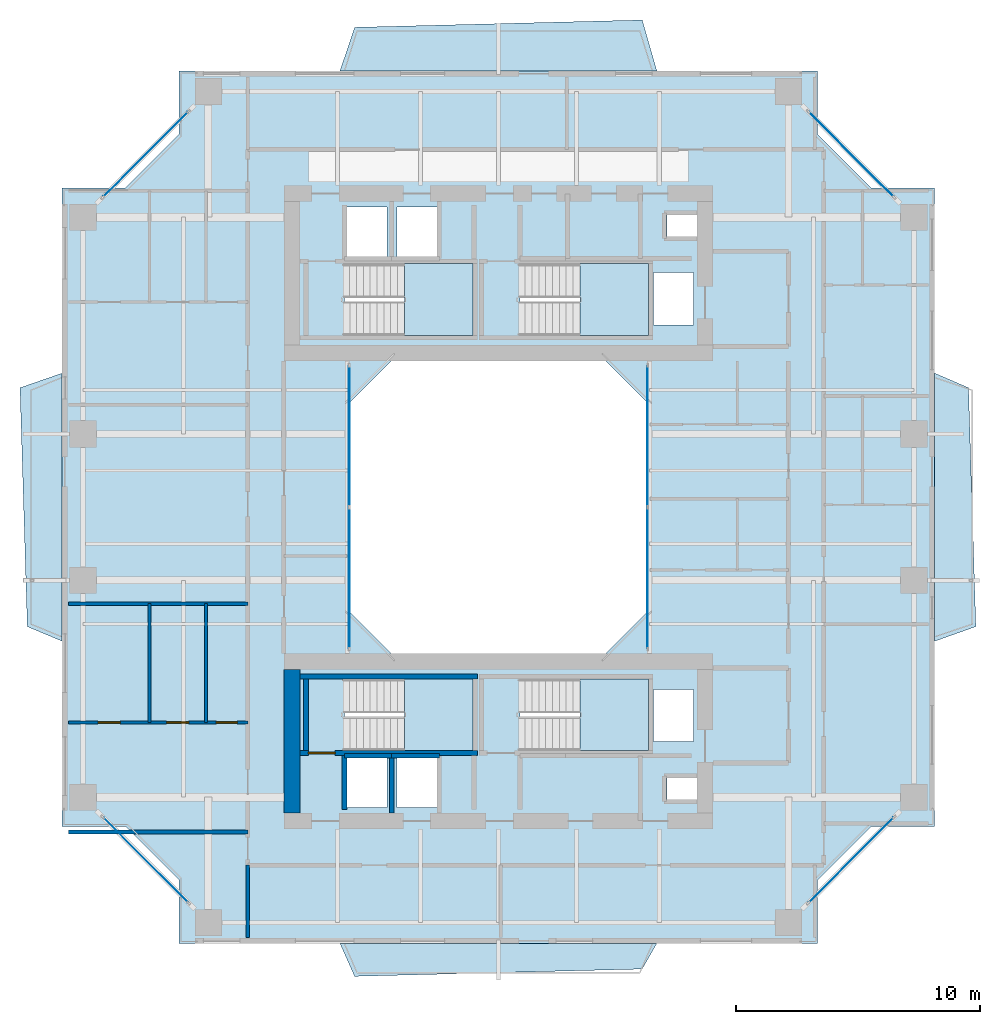
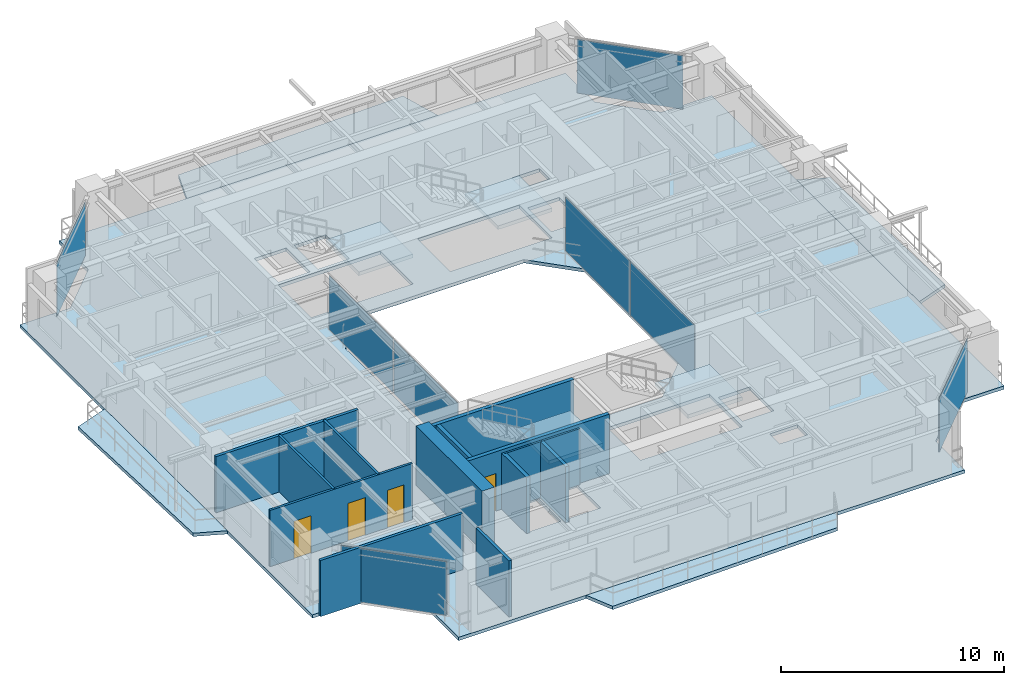
# One storey, part 9 of 17: 14 walls, 9 slabs, 8 plates, 4 doors, 4 openings, 10 elements without a shape of their own.
"""IFC4 building model written with IfcOpenShell, lengths in metres."""

import ifcopenshell
import ifcopenshell.guid

model = None  # the IFC model being written
_history = None  # IfcOwnerHistory: only IFC2X3 demands one
_inside = {}  # id of a spatial element -> (the spatial element, [elements in it])
_under = {}  # id of a project, library or spatial element -> (it, [spatial elements below it])
_declared = {}  # id of a project -> (the project, [libraries it declares])
_typed = {}  # id of a type object -> (the type object, [elements of that type])
_made_of = {}  # id of a material, layer set ... -> (it, [elements and type objects made of it])


def new_model(schema):
    """Start an empty IFC model of exactly this schema.

    Asked for "IFC4X3", IfcOpenShell would pick the latest addendum, in which some entities
    have other attributes; the version numbers below select the first issue.
    IFC2X3 requires an IfcOwnerHistory on every rooted entity: one is made here for all.
    """
    global model, _history
    if schema == "IFC4X3":
        model = ifcopenshell.file(schema_version=(4, 3, 0, 0))
    else:
        model = ifcopenshell.file(schema=schema)
    _inside.clear()
    _under.clear()
    _declared.clear()
    _typed.clear()
    _made_of.clear()
    _history = None
    if model.schema == "IFC2X3":
        org = make("IfcOrganization", Name="unknown")
        user = make(
            "IfcPersonAndOrganization",
            ThePerson=make("IfcPerson", FamilyName="unknown"),
            TheOrganization=org,
        )
        app = make(
            "IfcApplication",
            ApplicationDeveloper=org,
            Version="unknown",
            ApplicationFullName="unknown",
            ApplicationIdentifier="unknown",
        )
        _history = make(
            "IfcOwnerHistory",
            OwningUser=user,
            OwningApplication=app,
            ChangeAction="ADDED",
            CreationDate=0,
        )
    return model


def make(cls, **values):
    """One entity of the class cls with the attributes given. An attribute that is None is left unset."""
    return model.create_entity(
        cls, **{name: value for name, value in values.items() if value is not None}
    )


def rooted(cls, **values):
    """An entity with a GlobalId (a new one), such as an element, a storey or a relation."""
    return make(cls, GlobalId=ifcopenshell.guid.new(), OwnerHistory=_history, **values)


def si_unit(unit_type, name, prefix=None):
    """IfcSIUnit, for example si_unit("LENGTHUNIT", "METRE", prefix="MILLI")."""
    return make("IfcSIUnit", UnitType=unit_type, Prefix=prefix, Name=name)


def assignment(units):
    """IfcUnitAssignment: the units of a project."""
    return None if units is None else make("IfcUnitAssignment", Units=units)


def point(xyz):
    """IfcCartesianPoint."""
    return None if xyz is None else make("IfcCartesianPoint", Coordinates=xyz)


def direction(xyz):
    """IfcDirection."""
    return None if xyz is None else make("IfcDirection", DirectionRatios=xyz)


def frame(location, z_axis=None, x_axis=None):
    """IfcAxis2Placement3D, a coordinate frame: its origin and axes. An axis left out is left unset."""
    return make(
        "IfcAxis2Placement3D",
        Location=point(location),
        Axis=direction(z_axis),
        RefDirection=direction(x_axis),
    )


def frame_2d(location, x_axis=None):
    """IfcAxis2Placement2D, a coordinate frame in the plane: its origin and x axis."""
    return make(
        "IfcAxis2Placement2D", Location=point(location), RefDirection=direction(x_axis)
    )


def origin():
    """The frame at (0, 0, 0) with its axes left unset."""
    return frame((0.0, 0.0, 0.0))


def origin_2d():
    """The frame at (0, 0) in the plane with its x axis left unset."""
    return frame_2d((0.0, 0.0))


def place(relative_to, where):
    """IfcLocalPlacement: puts the frame where relative to a parent placement (None: the world)."""
    return make(
        "IfcLocalPlacement", PlacementRelTo=relative_to, RelativePlacement=where
    )


def context(
    kind, dimensions, precision=None, world=None, true_north=None, identifier=None
):
    """IfcGeometricRepresentationContext, for example the 3D "Model" context."""
    return make(
        "IfcGeometricRepresentationContext",
        ContextIdentifier=identifier,
        ContextType=kind,
        CoordinateSpaceDimension=dimensions,
        Precision=precision,
        WorldCoordinateSystem=world,
        TrueNorth=true_north,
    )


def subcontext(parent, identifier, kind, view, scale=None):
    """IfcGeometricRepresentationSubContext, for example "Body" below "Model"."""
    return make(
        "IfcGeometricRepresentationSubContext",
        ContextIdentifier=identifier,
        ContextType=kind,
        ParentContext=parent,
        TargetScale=scale,
        TargetView=view,
    )


def project(units=None, contexts=None):
    """IfcProject with its units and contexts."""
    return rooted(
        "IfcProject",
        Name="project",
        RepresentationContexts=contexts,
        UnitsInContext=assignment(units),
    )


def spatial(cls, under=None, at=None, **own):
    """A site, building, storey or space (cls), placed at a placement, below another one or the project."""
    s = rooted(cls, ObjectPlacement=at, **own)
    if under is not None:
        _under.setdefault(under.id(), (under, []))[1].append(s)
    return s


def polyline(points):
    """IfcPolyline through the points."""
    return make("IfcPolyline", Points=[point(p) for p in points])


def profile(cls, at=None, kind="AREA", **sizes):
    """A parametric profile (cls). Its sizes go by their IFC names, for example OverallWidth=200.0."""
    return make(cls, ProfileType=kind, Position=at, **sizes)


def rectangle(**sizes):
    """IfcRectangleProfileDef."""
    return profile("IfcRectangleProfileDef", **sizes)


def outline(outer, holes=None, kind="AREA"):
    """IfcArbitraryClosedProfileDef: a profile drawn as a closed curve; with holes, ...WithVoids."""
    if holes is None:
        return make("IfcArbitraryClosedProfileDef", ProfileType=kind, OuterCurve=outer)
    return make(
        "IfcArbitraryProfileDefWithVoids",
        ProfileType=kind,
        OuterCurve=outer,
        InnerCurves=holes,
    )


def extrude(swept, where, along, depth):
    """IfcExtrudedAreaSolid: the profile swept, set in the frame where, extruded along a direction by depth."""
    return make(
        "IfcExtrudedAreaSolid",
        SweptArea=swept,
        Position=where,
        ExtrudedDirection=direction(along),
        Depth=depth,
    )


def shape(context_of_items, identifier, shape_type, items):
    """IfcShapeRepresentation: the items that make up one representation, for example the "Body"."""
    return make(
        "IfcShapeRepresentation",
        ContextOfItems=context_of_items,
        RepresentationIdentifier=identifier,
        RepresentationType=shape_type,
        Items=items,
    )


def source(mapping_origin, context_of_items, identifier, shape_type, items):
    """IfcRepresentationMap: a shape defined once, which mapped items show again and again."""
    return make(
        "IfcRepresentationMap",
        MappingOrigin=mapping_origin,
        MappedRepresentation=shape(context_of_items, identifier, shape_type, items),
    )


def transform(
    local_origin,
    x_axis=None,
    y_axis=None,
    z_axis=None,
    scale=None,
    scale2=None,
    scale3=None,
    uniform=True,
):
    """IfcCartesianTransformationOperator3D, or its non-uniform kind. x_axis, y_axis, z_axis: its Axis1, 2, 3."""
    if uniform:
        return make(
            "IfcCartesianTransformationOperator3D",
            Axis1=direction(x_axis),
            Axis2=direction(y_axis),
            LocalOrigin=point(local_origin),
            Scale=scale,
            Axis3=direction(z_axis),
        )
    return make(
        "IfcCartesianTransformationOperator3DnonUniform",
        Axis1=direction(x_axis),
        Axis2=direction(y_axis),
        LocalOrigin=point(local_origin),
        Scale=scale,
        Axis3=direction(z_axis),
        Scale2=scale2,
        Scale3=scale3,
    )


def mapped(mapping_source, mapping_target):
    """IfcMappedItem: shows the shape of a source again, moved by a transform."""
    return make(
        "IfcMappedItem", MappingSource=mapping_source, MappingTarget=mapping_target
    )


def material(Name=None, Category=None):
    """IfcMaterial."""
    return make("IfcMaterial", Name=Name, Category=Category)


def layer(
    of_material, thickness, ventilated=None, Name=None, Category=None, Priority=None
):
    """IfcMaterialLayer: one layer of a wall or slab, of a material (None: an air gap)."""
    return make(
        "IfcMaterialLayer",
        Material=of_material,
        LayerThickness=thickness,
        IsVentilated=ventilated,
        Name=Name,
        Category=Category,
        Priority=Priority,
    )


def layer_set(layers, Name=None):
    """IfcMaterialLayerSet."""
    return make("IfcMaterialLayerSet", MaterialLayers=layers, LayerSetName=Name)


def made_of(thing, what):
    """Note that an element or type object is made of a material, layer set ...; save() writes the relation."""
    if what is not None:
        _made_of.setdefault(what.id(), (what, []))[1].append(thing)
    return thing


def type_object(cls, material=None, **own):
    """A type object (cls), such as IfcWallType, which elements share."""
    return made_of(rooted(cls, **own), material)


def element(
    cls,
    number,
    at=None,
    inside=None,
    cuts=None,
    type_object=None,
    material=None,
    context=None,
    identifier="Body",
    shape_type=None,
    held_by="IfcProductDefinitionShape",
    body=None,
    shapes=None,
    **own,
):
    """One element of the class cls, such as IfcWall. Its Tag is "e" and its number.

    at: its placement. inside: the storey or other place that contains it. cuts: it is an
    opening in that element (IfcRelVoidsElement). A single representation is given by context,
    identifier, shape_type and body (its items); several are given by shapes. held_by: the class
    of the entity that holds the representations. save() writes the other relations.
    """
    e = rooted(cls, Tag="e%d" % number, ObjectPlacement=at, **own)
    if body is not None:
        shapes = [shape(context, identifier, shape_type, body)]
    if shapes is not None:
        e.Representation = make(held_by, Representations=shapes)
    if inside is not None:
        _inside.setdefault(inside.id(), (inside, []))[1].append(e)
    if cuts is not None:
        rooted(
            "IfcRelVoidsElement", RelatingBuildingElement=cuts, RelatedOpeningElement=e
        )
    if type_object is not None:
        _typed.setdefault(type_object.id(), (type_object, []))[1].append(e)
    return made_of(e, material)


def fill(opening, filler):
    """IfcRelFillsElement: the door or window that sits in an opening."""
    return rooted(
        "IfcRelFillsElement",
        RelatingOpeningElement=opening,
        RelatedBuildingElement=filler,
    )


def aggregate(whole, parts):
    """IfcRelAggregates: a whole, such as a stair, and the parts it consists of."""
    return rooted("IfcRelAggregates", RelatingObject=whole, RelatedObjects=parts)


def save(model, path):
    """Write the relations noted so far, then the file.

    IfcRelAggregates (storeys below a building ...), IfcRelContainedInSpatialStructure (elements
    in a storey), IfcRelDefinesByType, IfcRelAssociatesMaterial and IfcRelDeclares: one each for
    every whole, place, type object, material and project.
    """
    for whole, parts in _under.values():
        aggregate(whole, parts)
    for where, things in _inside.values():
        rooted(
            "IfcRelContainedInSpatialStructure",
            RelatedElements=things,
            RelatingStructure=where,
        )
    for kind, things in _typed.values():
        rooted("IfcRelDefinesByType", RelatedObjects=things, RelatingType=kind)
    for what, things in _made_of.values():
        rooted("IfcRelAssociatesMaterial", RelatedObjects=things, RelatingMaterial=what)
    for by, libraries in _declared.values():
        rooted("IfcRelDeclares", RelatingContext=by, RelatedDefinitions=libraries)
    model.write(path)


model = new_model("IFC4")

# Units and contexts
model_context = context("Model", 3, precision=1e-05, world=origin(), true_north=direction((0.0, 1.0)))
body_context = subcontext(model_context, "Body", "Model", "MODEL_VIEW")
ifc_project = project(units=[si_unit("LENGTHUNIT", "METRE"), si_unit("AREAUNIT", "SQUARE_METRE"), si_unit("VOLUMEUNIT", "CUBIC_METRE"), si_unit("PLANEANGLEUNIT", "RADIAN"), si_unit("MASSUNIT", "GRAM", prefix="KILO"), si_unit("THERMODYNAMICTEMPERATUREUNIT", "KELVIN"), si_unit("POWERUNIT", "WATT")], contexts=[model_context])

# Site, building, storey
site_placement = place(None, origin())
site = spatial("IfcSite", under=ifc_project, at=site_placement, CompositionType="ELEMENT")
building_placement = place(site_placement, origin())
building = spatial("IfcBuilding", under=site, at=building_placement, Name="Qiaomeng Ring Towers", CompositionType="ELEMENT")
storey_placement = place(building_placement, frame((0.0, 0.0, 126.25)))
storey = spatial("IfcBuildingStorey", under=building, at=storey_placement, Name="L36", CompositionType="ELEMENT", Elevation=126.25)

# Slabs
ifc_material_1 = material(Name="Concrete C40", Category="concrete")
ifc_layer_1 = layer(ifc_material_1, 0.179931640625, Name="Concrete C40")
ifc_layer_set_1 = layer_set([ifc_layer_1], Name="Concrete C40")
slab_type_1 = type_object("IfcSlabType", Name="STR-SL-180", PredefinedType="FLOOR", material=ifc_layer_set_1)
slab_1_placement = place(storey_placement, frame((0.0, 0.0, -0.179931640625)))
element("IfcSlab", 1, at=slab_1_placement, inside=storey, type_object=slab_type_1, Name="L36 Tower 1 Annular Floor Slab", PredefinedType="FLOOR", context=body_context, shape_type="SweptSolid", body=[
    extrude(outline(polyline([(5.89990234375, 5.10009765625), (32.10009765625, 5.10009765625), (32.10009765625, 7.699951171875), (34.300048828125, 9.89990234375), (36.89990234375, 9.89990234375), (36.89990234375, 36.10009765625), (34.300048828125, 36.10009765625), (32.10009765625, 38.300048828125), (32.10009765625, 40.89990234375), (5.89990234375, 40.89990234375), (5.89990234375, 38.300048828125), (3.699951171875, 36.10009765625), (1.10009765625, 36.10009765625), (1.10009765625, 9.89990234375), (3.699951171875, 9.89990234375), (5.89990234375, 7.699951171875), (5.89990234375, 5.10009765625)]), holes=[polyline([(12.780029296875, 10.679931640625), (12.780029296875, 12.820068359375), (14.419921875, 12.820068359375), (14.419921875, 10.679931640625), (12.780029296875, 10.679931640625)]), polyline([(14.830078125, 12.820068359375), (16.469970703125, 12.820068359375), (16.469970703125, 10.679931640625), (14.830078125, 10.679931640625), (14.830078125, 12.820068359375)]), polyline([(12.679931640625, 15.949951171875), (17.949951171875, 15.949951171875), (17.949951171875, 13.010009765625), (12.679931640625, 13.010009765625), (12.679931640625, 15.949951171875)]), polyline([(23.199951171875, 29.199951171875), (25.199951171875, 27.199951171875), (25.199951171875, 18.800048828125), (23.199951171875, 16.800048828125), (14.800048828125, 16.800048828125), (12.800048828125, 18.800048828125), (12.800048828125, 27.199951171875), (14.800048828125, 29.199951171875), (23.199951171875, 29.199951171875)]), polyline([(12.679931640625, 32.989990234375), (17.949951171875, 32.989990234375), (17.949951171875, 30.050048828125), (12.679931640625, 30.050048828125), (12.679931640625, 32.989990234375)]), polyline([(12.780029296875, 35.320068359375), (14.419921875, 35.320068359375), (14.419921875, 33.179931640625), (12.780029296875, 33.179931640625), (12.780029296875, 35.320068359375)]), polyline([(14.830078125, 33.179931640625), (14.830078125, 35.320068359375), (16.469970703125, 35.320068359375), (16.469970703125, 33.179931640625), (14.830078125, 33.179931640625)]), polyline([(25.919921875, 11.89990234375), (27.360107421875, 11.89990234375), (27.360107421875, 11.0), (25.919921875, 11.0), (25.919921875, 11.89990234375)]), polyline([(25.360107421875, 15.52001953125), (27.0, 15.52001953125), (27.0, 13.3798828125), (25.360107421875, 13.3798828125), (25.360107421875, 15.52001953125)]), polyline([(19.8798828125, 15.949951171875), (25.14990234375, 15.949951171875), (25.14990234375, 13.010009765625), (19.8798828125, 13.010009765625), (19.8798828125, 15.949951171875)]), polyline([(19.8798828125, 32.989990234375), (25.14990234375, 32.989990234375), (25.14990234375, 30.050048828125), (19.8798828125, 30.050048828125), (19.8798828125, 32.989990234375)]), polyline([(25.360107421875, 32.6201171875), (27.0, 32.6201171875), (27.0, 30.47998046875), (25.360107421875, 30.47998046875), (25.360107421875, 32.6201171875)]), polyline([(25.919921875, 35.0), (27.360107421875, 35.0), (27.360107421875, 34.10009765625), (25.919921875, 34.10009765625), (25.919921875, 35.0)])]), origin(), (0.0, 0.0, 1.0), 0.179931640625),
])
ifc_layer_2 = layer(ifc_material_1, 0.179931640625, Name="Concrete C40")
ifc_layer_set_2 = layer_set([ifc_layer_2], Name="Concrete C40")
slab_type_2 = type_object("IfcSlabType", Name="STR-SL-BAL", PredefinedType="FLOOR", material=ifc_layer_set_2)
slab_2_placement = place(storey_placement, frame((0.0, 0.0, -0.179931640625)))
element("IfcSlab", 2, at=slab_2_placement, inside=storey, type_object=slab_type_2, Name="L36 Tower 1 S Faceted Balcony Slab", PredefinedType="FLOOR", context=body_context, shape_type="SweptSolid", body=[
    extrude(outline(polyline([(24.89990234375, 4.050048828125), (13.10009765625, 3.75), (12.5, 5.10009765625), (25.5, 5.10009765625), (24.89990234375, 4.050048828125)])), origin(), (0.0, 0.0, 1.0), 0.179931640625),
])
slab_3_placement = place(storey_placement, frame((0.0, 0.0, -0.179931640625)))
element("IfcSlab", 3, at=slab_3_placement, inside=storey, type_object=slab_type_2, Name="L36 Tower 1 E Faceted Balcony Slab", PredefinedType="FLOOR", context=body_context, shape_type="SweptSolid", body=[
    extrude(outline(polyline([(38.2900390625, 27.89990234375), (38.590087890625, 18.10009765625), (36.89990234375, 17.5), (36.89990234375, 28.5), (38.2900390625, 27.89990234375)])), origin(), (0.0, 0.0, 1.0), 0.179931640625),
])
slab_4_placement = place(storey_placement, frame((0.0, 0.0, -0.179931640625)))
element("IfcSlab", 4, at=slab_4_placement, inside=storey, type_object=slab_type_2, Name="L36 Tower 1 N Faceted Balcony Slab", PredefinedType="FLOOR", context=body_context, shape_type="SweptSolid", body=[
    extrude(outline(polyline([(12.5, 40.89990234375), (13.10009765625, 42.68994140625), (24.89990234375, 42.989990234375), (25.5, 40.89990234375), (12.5, 40.89990234375)])), origin(), (0.0, 0.0, 1.0), 0.179931640625),
])
slab_5_placement = place(storey_placement, frame((0.0, 0.0, -0.179931640625)))
element("IfcSlab", 5, at=slab_5_placement, inside=storey, type_object=slab_type_2, Name="L36 Tower 1 W Faceted Balcony Slab", PredefinedType="FLOOR", context=body_context, shape_type="SweptSolid", body=[
    extrude(outline(polyline([(-0.330078125, 18.10009765625), (-0.6298828125, 27.89990234375), (1.10009765625, 28.5), (1.10009765625, 17.5), (-0.330078125, 18.10009765625)])), origin(), (0.0, 0.0, 1.0), 0.179931640625),
])

# Stair, slab
ifc_material_2 = material(Name="Precast concrete C40", Category="concrete")
stair_type = type_object("IfcStairType", Name="ARC-ST-325", PredefinedType="HALF_TURN_STAIR", material=ifc_material_2)
stair_1_placement = place(storey_placement, origin())
stair_1 = element("IfcStair", 6, at=stair_1_placement, inside=storey, type_object=stair_type, Name="L36 Tower 1 North Stair 1", PredefinedType="HALF_TURN_STAIR")
ifc_layer_3 = layer(ifc_material_1, 0.199951171875, Name="Concrete C40")
ifc_layer_set_3 = layer_set([ifc_layer_3], Name="Concrete C40")
slab_type_3 = type_object("IfcSlabType", Name="STR-SL-LANDING", PredefinedType="LANDING", material=ifc_layer_set_3)
slab_6_placement = place(storey_placement, frame((0.0, 0.0, 1.425048828125)))
slab_6 = element("IfcSlab", 7, at=slab_6_placement, type_object=slab_type_3, Name="ST1 landing 1", PredefinedType="LANDING", context=body_context, shape_type="SweptSolid", body=[
    extrude(outline(polyline([(15.139892578125, 30.050048828125), (17.949951171875, 30.050048828125), (17.949951171875, 32.989990234375), (15.139892578125, 32.989990234375), (15.139892578125, 30.050048828125)])), origin(), (0.0, 0.0, 1.0), 0.199951171875),
])
aggregate(stair_1, [slab_6])

stair_2_placement = place(storey_placement, origin())
stair_2 = element("IfcStair", 8, at=stair_2_placement, inside=storey, type_object=stair_type, Name="L36 Tower 1 North Stair 2", PredefinedType="HALF_TURN_STAIR")
slab_7_placement = place(storey_placement, frame((0.0, 0.0, 1.425048828125)))
slab_7 = element("IfcSlab", 9, at=slab_7_placement, type_object=slab_type_3, Name="ST2 landing 1", PredefinedType="LANDING", context=body_context, shape_type="SweptSolid", body=[
    extrude(outline(polyline([(22.340087890625, 30.050048828125), (25.14990234375, 30.050048828125), (25.14990234375, 32.989990234375), (22.340087890625, 32.989990234375), (22.340087890625, 30.050048828125)])), origin(), (0.0, 0.0, 1.0), 0.199951171875),
])
aggregate(stair_2, [slab_7])

stair_3_placement = place(storey_placement, origin())
stair_3 = element("IfcStair", 10, at=stair_3_placement, inside=storey, type_object=stair_type, Name="L36 Tower 1 South Stair 3", PredefinedType="HALF_TURN_STAIR")
slab_8_placement = place(storey_placement, frame((0.0, 0.0, 1.425048828125)))
slab_8 = element("IfcSlab", 11, at=slab_8_placement, type_object=slab_type_3, Name="ST3 landing 1", PredefinedType="LANDING", context=body_context, shape_type="SweptSolid", body=[
    extrude(outline(polyline([(15.139892578125, 13.010009765625), (17.949951171875, 13.010009765625), (17.949951171875, 15.949951171875), (15.139892578125, 15.949951171875), (15.139892578125, 13.010009765625)])), origin(), (0.0, 0.0, 1.0), 0.199951171875),
])
aggregate(stair_3, [slab_8])

stair_4_placement = place(storey_placement, origin())
stair_4 = element("IfcStair", 12, at=stair_4_placement, inside=storey, type_object=stair_type, Name="L36 Tower 1 South Stair 4", PredefinedType="HALF_TURN_STAIR")
slab_9_placement = place(storey_placement, frame((0.0, 0.0, 1.425048828125)))
slab_9 = element("IfcSlab", 13, at=slab_9_placement, type_object=slab_type_3, Name="ST4 landing 1", PredefinedType="LANDING", context=body_context, shape_type="SweptSolid", body=[
    extrude(outline(polyline([(22.340087890625, 13.010009765625), (25.14990234375, 13.010009765625), (25.14990234375, 15.949951171875), (22.340087890625, 15.949951171875), (22.340087890625, 13.010009765625)])), origin(), (0.0, 0.0, 1.0), 0.199951171875),
])
aggregate(stair_4, [slab_9])

# Curtain wall, plates
ifc_material_3 = material(Name="Fluorocarbon dark-grey aluminium", Category="aluminium")
ifc_layer_4 = layer(ifc_material_3, 0.139892578125, Name="Fluorocarbon dark-grey aluminium")
ifc_layer_set_4 = layer_set([ifc_layer_4], Name="Fluorocarbon dark-grey aluminium")
curtain_wall_type_1 = type_object("IfcCurtainWallType", Name="ARC-CW-4", PredefinedType="NOTDEFINED", material=ifc_layer_set_4)
curtain_wall_1_placement = place(storey_placement, origin())
curtain_wall_1 = element("IfcCurtainWall", 14, at=curtain_wall_1_placement, inside=storey, type_object=curtain_wall_type_1, Name="L36 Curtain Wall CW4", PredefinedType="NOTDEFINED")
ifc_material_4 = material(Name="Low-E dark-grey laminated double glazing", Category="glass")
ifc_layer_5 = layer(ifc_material_4, 0.028076171875, Name="Low-E dark-grey laminated double glazing")
ifc_layer_set_5 = layer_set([ifc_layer_5], Name="Low-E dark-grey laminated double glazing")
plate_type = type_object("IfcPlateType", Name="ARC-CWP-DARK", PredefinedType="CURTAIN_PANEL", material=ifc_layer_set_5)
shared_shape_1 = source(origin(), body_context, "Body", "SweptSolid", [
    extrude(rectangle(XDim=5.75244140625, YDim=0.028076171875, at=origin_2d()), origin(), (0.0, 0.0, 1.0), 2.93994140625),
])
plate_1_placement = place(storey_placement, frame((12.8798828125, 20.09130859375, 0.06494140625), z_axis=(0.0, 0.0, 1.0), x_axis=(0.0, 1.0, 0.0)))
plate_1 = element("IfcPlate", 15, at=plate_1_placement, type_object=plate_type, Name="CW4 panel 1.1", PredefinedType="CURTAIN_PANEL", context=body_context, shape_type="MappedRepresentation", body=[
    mapped(shared_shape_1, transform((0.0, 0.0, 0.0), x_axis=(1.0, 0.0, 0.0), y_axis=(0.0, 1.0, 0.0), z_axis=(0.0, 0.0, 1.0), scale=1.0)),
])
plate_2_placement = place(storey_placement, frame((12.8798828125, 25.90869140625, 0.06494140625), z_axis=(0.0, 0.0, 1.0), x_axis=(0.0, 1.0, 0.0)))
plate_2 = element("IfcPlate", 16, at=plate_2_placement, type_object=plate_type, Name="CW4 panel 2.1", PredefinedType="CURTAIN_PANEL", context=body_context, shape_type="MappedRepresentation", body=[
    mapped(shared_shape_1, transform((0.0, 0.0, 0.0), x_axis=(1.0, 0.0, 0.0), y_axis=(0.0, 1.0, 0.0), z_axis=(0.0, 0.0, 1.0), scale=1.0)),
])
aggregate(curtain_wall_1, [plate_1, plate_2])

curtain_wall_2_placement = place(storey_placement, origin())
curtain_wall_2 = element("IfcCurtainWall", 17, at=curtain_wall_2_placement, inside=storey, type_object=curtain_wall_type_1, Name="L36 Curtain Wall CW4", PredefinedType="NOTDEFINED")
plate_3_placement = place(storey_placement, frame((25.1201171875, 20.09130859375, 0.06494140625), z_axis=(0.0, 0.0, 1.0), x_axis=(0.0, 1.0, 0.0)))
plate_3 = element("IfcPlate", 18, at=plate_3_placement, type_object=plate_type, Name="CW4 panel 1.1", PredefinedType="CURTAIN_PANEL", context=body_context, shape_type="MappedRepresentation", body=[
    mapped(shared_shape_1, transform((0.0, 0.0, 0.0), x_axis=(1.0, 0.0, 0.0), y_axis=(0.0, 1.0, 0.0), z_axis=(0.0, 0.0, 1.0), scale=1.0)),
])
plate_4_placement = place(storey_placement, frame((25.1201171875, 25.90869140625, 0.06494140625), z_axis=(0.0, 0.0, 1.0), x_axis=(0.0, 1.0, 0.0)))
plate_4 = element("IfcPlate", 19, at=plate_4_placement, type_object=plate_type, Name="CW4 panel 2.1", PredefinedType="CURTAIN_PANEL", context=body_context, shape_type="MappedRepresentation", body=[
    mapped(shared_shape_1, transform((0.0, 0.0, 0.0), x_axis=(1.0, 0.0, 0.0), y_axis=(0.0, 1.0, 0.0), z_axis=(0.0, 0.0, 1.0), scale=1.0)),
])
aggregate(curtain_wall_2, [plate_3, plate_4])

# Curtain wall, plate
ifc_layer_6 = layer(ifc_material_3, 0.14990234375, Name="Fluorocarbon dark-grey aluminium")
ifc_layer_set_6 = layer_set([ifc_layer_6], Name="Fluorocarbon dark-grey aluminium")
curtain_wall_type_2 = type_object("IfcCurtainWallType", Name="ARC-CW-3", PredefinedType="NOTDEFINED", material=ifc_layer_set_6)
curtain_wall_3_placement = place(storey_placement, origin())
curtain_wall_3 = element("IfcCurtainWall", 20, at=curtain_wall_3_placement, inside=storey, type_object=curtain_wall_type_2, Name="L36 Curtain Wall CW3", PredefinedType="NOTDEFINED")
shared_shape_2 = source(origin(), body_context, "Body", "SweptSolid", [
    extrude(rectangle(XDim=4.90869140625, YDim=0.028076171875, at=origin_2d()), origin(), (0.0, 0.0, 1.0), 2.93994140625),
])
plate_5_placement = place(storey_placement, frame((33.47509765625, 8.52490234375, 0.06494140625), z_axis=(0.0, 0.0, 1.0), x_axis=(0.707106781187, 0.707106781187, 0.0)))
plate_5 = element("IfcPlate", 21, at=plate_5_placement, type_object=plate_type, Name="CW3 panel 1.1", PredefinedType="CURTAIN_PANEL", context=body_context, shape_type="MappedRepresentation", body=[
    mapped(shared_shape_2, transform((0.0, 0.0, 0.0), x_axis=(1.0, 0.0, 0.0), y_axis=(0.0, 1.0, 0.0), z_axis=(0.0, 0.0, 1.0), scale=1.0)),
])
aggregate(curtain_wall_3, [plate_5])

curtain_wall_4_placement = place(storey_placement, origin())
curtain_wall_4 = element("IfcCurtainWall", 22, at=curtain_wall_4_placement, inside=storey, type_object=curtain_wall_type_2, Name="L36 Curtain Wall CW3", PredefinedType="NOTDEFINED")
plate_6_placement = place(storey_placement, frame((33.47509765625, 37.47509765625, 0.06494140625), z_axis=(0.0, 0.0, 1.0), x_axis=(-0.707106781187, 0.707106781187, 0.0)))
plate_6 = element("IfcPlate", 23, at=plate_6_placement, type_object=plate_type, Name="CW3 panel 1.1", PredefinedType="CURTAIN_PANEL", context=body_context, shape_type="MappedRepresentation", body=[
    mapped(shared_shape_2, transform((0.0, 0.0, 0.0), x_axis=(1.0, 0.0, 0.0), y_axis=(0.0, 1.0, 0.0), z_axis=(0.0, 0.0, 1.0), scale=1.0)),
])
aggregate(curtain_wall_4, [plate_6])

curtain_wall_5_placement = place(storey_placement, origin())
curtain_wall_5 = element("IfcCurtainWall", 24, at=curtain_wall_5_placement, inside=storey, type_object=curtain_wall_type_2, Name="L36 Curtain Wall CW3", PredefinedType="NOTDEFINED")
plate_7_placement = place(storey_placement, frame((4.52490234375, 37.47509765625, 0.06494140625), z_axis=(0.0, 0.0, 1.0), x_axis=(-0.707106781187, -0.707106781187, 0.0)))
plate_7 = element("IfcPlate", 25, at=plate_7_placement, type_object=plate_type, Name="CW3 panel 1.1", PredefinedType="CURTAIN_PANEL", context=body_context, shape_type="MappedRepresentation", body=[
    mapped(shared_shape_2, transform((0.0, 0.0, 0.0), x_axis=(1.0, 0.0, 0.0), y_axis=(0.0, 1.0, 0.0), z_axis=(0.0, 0.0, 1.0), scale=1.0)),
])
aggregate(curtain_wall_5, [plate_7])

curtain_wall_6_placement = place(storey_placement, origin())
curtain_wall_6 = element("IfcCurtainWall", 26, at=curtain_wall_6_placement, inside=storey, type_object=curtain_wall_type_2, Name="L36 Curtain Wall CW3", PredefinedType="NOTDEFINED")
plate_8_placement = place(storey_placement, frame((4.52490234375, 8.52490234375, 0.06494140625), z_axis=(0.0, 0.0, 1.0), x_axis=(0.707106781187, -0.707106781187, 0.0)))
plate_8 = element("IfcPlate", 27, at=plate_8_placement, type_object=plate_type, Name="CW3 panel 1.1", PredefinedType="CURTAIN_PANEL", context=body_context, shape_type="MappedRepresentation", body=[
    mapped(shared_shape_2, transform((0.0, 0.0, 0.0), x_axis=(1.0, 0.0, 0.0), y_axis=(0.0, 1.0, 0.0), z_axis=(0.0, 0.0, 1.0), scale=1.0)),
])
aggregate(curtain_wall_6, [plate_8])

# Walls
ifc_material_5 = material(Name="Autoclaved aerated concrete block", Category="concrete")
ifc_layer_7 = layer(ifc_material_5, 0.199951171875, Name="Autoclaved aerated concrete block")
ifc_layer_set_7 = layer_set([ifc_layer_7], Name="Autoclaved aerated concrete block")
wall_type_1 = type_object("IfcWallType", Name="ARC-WL-PW1", PredefinedType="PARTITIONING", material=ifc_layer_set_7)
wall_1_placement = place(storey_placement, frame((12.679931640625, 10.60009765625, 0.0), z_axis=(0.0, 0.0, 1.0), x_axis=(0.0, 1.0, 0.0)))
element("IfcWall", 28, at=wall_1_placement, inside=storey, type_object=wall_type_1, Name="L36 Interior Wall PW1", PredefinedType="PARTITIONING", context=body_context, shape_type="SweptSolid", body=[
    extrude(rectangle(XDim=2.2099609375, YDim=0.199951171875, at=frame_2d((1.10498046875, 0.0))), origin(), (0.0, 0.0, 1.0), 3.070068359375),
])
ifc_material_6 = material(Name="Gypsum fireboard steel-stud partition", Category="steel")
ifc_layer_8 = layer(ifc_material_6, 0.14990234375, Name="Gypsum fireboard steel-stud partition")
ifc_layer_set_8 = layer_set([ifc_layer_8], Name="Gypsum fireboard steel-stud partition")
wall_type_2 = type_object("IfcWallType", Name="ARC-WL-PW3", PredefinedType="PARTITIONING", material=ifc_layer_set_8)
wall_2_placement = place(storey_placement, frame((8.719970703125, 5.35009765625, 0.0), z_axis=(0.0, 0.0, 1.0), x_axis=(0.0, 1.0, 0.0)))
element("IfcWall", 29, at=wall_2_placement, inside=storey, type_object=wall_type_2, Name="L36 Interior Wall PW3", PredefinedType="PARTITIONING", context=body_context, shape_type="SweptSolid", body=[
    extrude(rectangle(XDim=2.9599609375, YDim=0.14990234375, at=frame_2d((1.47998046875, 0.0))), origin(), (0.0, 0.0, 1.0), 3.070068359375),
])
for number, where, z_axis, x_axis, name in (
    (30, (1.35009765625, 9.669921875, 0.0), (0.0, 0.0, 1.0), (1.0, 0.0, 0.0), "L36 Interior Wall PW3"),
    (31, (1.35009765625, 19.0400390625, 0.0), (0.0, 0.0, 1.0), (1.0, 0.0, 0.0), "L36 Interior Wall PW3"),
):
    element("IfcWall", number, at=place(storey_placement, frame(where, z_axis=z_axis, x_axis=x_axis)), inside=storey, type_object=wall_type_2, Name=name, PredefinedType="PARTITIONING", context=body_context, shape_type="SweptSolid", body=[
        extrude(rectangle(XDim=7.369873046875, YDim=0.14990234375, at=frame_2d((3.68505859375, 0.0))), origin(), (0.0, 0.0, 1.0), 3.070068359375),
    ])

# Wall, openings, doors
ifc_material_7 = material(Name="Moisture-resistant gypsum steel-stud partition", Category="steel")
ifc_layer_9 = layer(ifc_material_7, 0.1201171875, Name="Moisture-resistant gypsum steel-stud partition")
ifc_layer_set_9 = layer_set([ifc_layer_9], Name="Moisture-resistant gypsum steel-stud partition")
wall_type_3 = type_object("IfcWallType", Name="ARC-WL-PW4", PredefinedType="PLUMBINGWALL", material=ifc_layer_set_9)
wall_3_placement = place(storey_placement, frame((1.35009765625, 14.169921875, 0.0), z_axis=(0.0, 0.0, 1.0), x_axis=(1.0, 0.0, 0.0)))
wall_3 = element("IfcWall", 32, at=wall_3_placement, inside=storey, type_object=wall_type_3, Name="L36 Interior Wall PW4", PredefinedType="PLUMBINGWALL", context=body_context, shape_type="SweptSolid", body=[
    extrude(rectangle(XDim=7.369873046875, YDim=0.1201171875, at=frame_2d((3.68505859375, 0.0))), origin(), (0.0, 0.0, 1.0), 3.070068359375),
])
opening_1_placement = place(wall_3_placement, frame((1.22509765625, 0.0, 0.0)))
opening_1 = element("IfcOpeningElement", 33, at=opening_1_placement, cuts=wall_3, Name="Opening ID1", PredefinedType="OPENING", context=body_context, shape_type="SweptSolid", body=[
    extrude(rectangle(XDim=0.89990234375, YDim=2.050048828125, at=frame_2d((0.449951171875, 1.02490234375))), frame((0.0, 0.070068359375, 0.0), z_axis=(0.0, -1.0, 0.0), x_axis=(1.0, 0.0, 0.0)), (0.0, 0.0, 1.0), 0.14013671875),
])
opening_2_placement = place(wall_3_placement, frame((4.0400390625, 0.0, 0.0)))
opening_2 = element("IfcOpeningElement", 34, at=opening_2_placement, cuts=wall_3, Name="Opening ID1", PredefinedType="OPENING", context=body_context, shape_type="SweptSolid", body=[
    extrude(rectangle(XDim=0.89990234375, YDim=2.050048828125, at=frame_2d((0.449951171875, 1.02490234375))), frame((0.0, 0.070068359375, 0.0), z_axis=(0.0, -1.0, 0.0), x_axis=(1.0, 0.0, 0.0)), (0.0, 0.0, 1.0), 0.14013671875),
])
opening_3_placement = place(wall_3_placement, frame((6.074951171875, 0.0, 0.0)))
opening_3 = element("IfcOpeningElement", 35, at=opening_3_placement, cuts=wall_3, Name="Opening ID2", PredefinedType="OPENING", context=body_context, shape_type="SweptSolid", body=[
    extrude(rectangle(XDim=0.85009765625, YDim=2.050048828125, at=frame_2d((0.425048828125, 1.02490234375))), frame((0.0, 0.070068359375, 0.0), z_axis=(0.0, -1.0, 0.0), x_axis=(1.0, 0.0, 0.0)), (0.0, 0.0, 1.0), 0.14013671875),
])
ifc_material_8 = material(Name="Moisture-resistant engineered timber", Category="wood")
door_type_1 = type_object("IfcDoorType", Name="ARC-DR-ID2", OperationType="NOTDEFINED", PredefinedType="DOOR", material=ifc_material_8)
shared_shape_3 = source(origin(), body_context, "Body", "SweptSolid", [
    extrude(rectangle(XDim=0.85009765625, YDim=2.050048828125, at=frame_2d((0.425048828125, 1.02490234375))), frame((0.0, 0.02490234375, 0.0), z_axis=(0.0, -1.0, 0.0), x_axis=(1.0, 0.0, 0.0)), (0.0, 0.0, 1.0), 0.050048828125),
])
door_1_placement = place(opening_3_placement, origin())
door_1 = element("IfcDoor", 36, at=door_1_placement, inside=storey, type_object=door_type_1, Name="L36 Door ID2", OperationType="SINGLE_SWING_LEFT", OverallHeight=2.050048828125, OverallWidth=0.85009765625, PredefinedType="DOOR", context=body_context, shape_type="MappedRepresentation", body=[
    mapped(shared_shape_3, transform((0.0, 0.0, 0.0), x_axis=(1.0, 0.0, 0.0), y_axis=(0.0, 1.0, 0.0), z_axis=(0.0, 0.0, 1.0), scale=1.0)),
])
fill(opening_3, door_1)
ifc_material_9 = material(Name="Engineered oak timber", Category="wood")
door_type_2 = type_object("IfcDoorType", Name="ARC-DR-ID1", OperationType="NOTDEFINED", PredefinedType="DOOR", material=ifc_material_9)
shared_shape_4 = source(origin(), body_context, "Body", "SweptSolid", [
    extrude(rectangle(XDim=0.89990234375, YDim=2.050048828125, at=frame_2d((0.449951171875, 1.02490234375))), frame((0.0, 0.02490234375, 0.0), z_axis=(0.0, -1.0, 0.0), x_axis=(1.0, 0.0, 0.0)), (0.0, 0.0, 1.0), 0.050048828125),
])
door_2_placement = place(opening_1_placement, origin())
door_2 = element("IfcDoor", 37, at=door_2_placement, inside=storey, type_object=door_type_2, Name="L36 Door ID1", OperationType="SINGLE_SWING_LEFT", OverallHeight=2.050048828125, OverallWidth=0.89990234375, PredefinedType="DOOR", context=body_context, shape_type="MappedRepresentation", body=[
    mapped(shared_shape_4, transform((0.0, 0.0, 0.0), x_axis=(1.0, 0.0, 0.0), y_axis=(0.0, 1.0, 0.0), z_axis=(0.0, 0.0, 1.0), scale=1.0)),
])
fill(opening_1, door_2)
door_3_placement = place(opening_2_placement, origin())
door_3 = element("IfcDoor", 38, at=door_3_placement, inside=storey, type_object=door_type_2, Name="L36 Door ID1", OperationType="SINGLE_SWING_RIGHT", OverallHeight=2.050048828125, OverallWidth=0.89990234375, PredefinedType="DOOR", context=body_context, shape_type="MappedRepresentation", body=[
    mapped(shared_shape_4, transform((0.0, 0.0, 0.0), x_axis=(1.0, 0.0, 0.0), y_axis=(0.0, 1.0, 0.0), z_axis=(0.0, 0.0, 1.0), scale=1.0)),
])
fill(opening_2, door_3)

# Walls
for number, where, z_axis, x_axis, name in (
    (39, (4.679931640625, 14.169921875, 0.0), (0.0, 0.0, 1.0), (0.0, 1.0, 0.0), "L36 Interior Wall PW4"),
    (40, (7.0, 14.169921875, 0.0), (0.0, 0.0, 1.0), (0.0, 1.0, 0.0), "L36 Interior Wall PW4"),
):
    element("IfcWall", number, at=place(storey_placement, frame(where, z_axis=z_axis, x_axis=x_axis)), inside=storey, type_object=wall_type_3, Name=name, PredefinedType="PLUMBINGWALL", context=body_context, shape_type="SweptSolid", body=[
        extrude(rectangle(XDim=4.8701171875, YDim=0.1201171875, at=frame_2d((2.43505859375, 0.0))), origin(), (0.0, 0.0, 1.0), 3.070068359375),
    ])
ifc_layer_10 = layer(ifc_material_1, 0.199951171875, Name="Concrete C40")
ifc_layer_set_10 = layer_set([ifc_layer_10], Name="Concrete C40")
wall_type_4 = type_object("IfcWallType", Name="STR-WL-STSHAFT", PredefinedType="SHEAR", material=ifc_layer_set_10)
wall_4_placement = place(storey_placement, frame((12.679931640625, 12.800048828125, 0.0), z_axis=(0.0, 0.0, 1.0), x_axis=(1.0, 0.0, 0.0)))
element("IfcWall", 41, at=wall_4_placement, inside=storey, type_object=wall_type_4, Name="L36 Lift LP6 Shaft Back Wall", PredefinedType="SHEAR", context=body_context, shape_type="SweptSolid", body=[
    extrude(rectangle(XDim=1.940185546875, YDim=0.179931640625, at=frame_2d((0.97021484375, 0.0))), origin(), (0.0, 0.0, 1.0), 3.070068359375),
])
wall_5_placement = place(storey_placement, frame((14.6201171875, 10.449951171875, 0.0), z_axis=(0.0, 0.0, 1.0), x_axis=(0.0, 1.0, 0.0)))
element("IfcWall", 42, at=wall_5_placement, inside=storey, type_object=wall_type_4, Name="L36 Lift LP6-LP4 Shaft Divider Wall", PredefinedType="SHEAR", context=body_context, shape_type="SweptSolid", body=[
    extrude(rectangle(XDim=2.35009765625, YDim=0.179931640625, at=frame_2d((1.175048828125, 0.0))), origin(), (0.0, 0.0, 1.0), 3.070068359375),
])
wall_6_placement = place(storey_placement, frame((14.6201171875, 12.800048828125, 0.0), z_axis=(0.0, 0.0, 1.0), x_axis=(1.0, 0.0, 0.0)))
element("IfcWall", 43, at=wall_6_placement, inside=storey, type_object=wall_type_4, Name="L36 Lift LP4 Shaft Back Wall", PredefinedType="SHEAR", context=body_context, shape_type="SweptSolid", body=[
    extrude(rectangle(XDim=1.9599609375, YDim=0.179931640625, at=frame_2d((0.97998046875, 0.0))), origin(), (0.0, 0.0, 1.0), 3.070068359375),
])

# Wall, opening, door
wall_7_placement = place(storey_placement, frame((10.85009765625, 12.909912109375, 0.0), z_axis=(0.0, 0.0, 1.0), x_axis=(1.0, 0.0, 0.0)))
wall_7 = element("IfcWall", 44, at=wall_7_placement, inside=storey, type_object=wall_type_4, Name="L36 Stair ST3 South Shaft Shear Wall", PredefinedType="SHEAR", context=body_context, shape_type="SweptSolid", body=[
    extrude(rectangle(XDim=7.2998046875, YDim=0.199951171875, at=frame_2d((3.64990234375, 0.0))), origin(), (0.0, 0.0, 1.0), 3.25),
])
opening_4_placement = place(wall_7_placement, frame((0.35009765625, 0.0, 0.0)))
opening_4 = element("IfcOpeningElement", 45, at=opening_4_placement, cuts=wall_7, Name="Opening FD3", PredefinedType="OPENING", context=body_context, shape_type="SweptSolid", body=[
    extrude(rectangle(XDim=1.10009765625, YDim=2.050048828125, at=frame_2d((0.550048828125, 1.02490234375))), frame((0.0, 0.10986328125, 0.0), z_axis=(0.0, -1.0, 0.0), x_axis=(1.0, 0.0, 0.0)), (0.0, 0.0, 1.0), 0.219970703125),
])
ifc_material_10 = material(Name="Galvanised steel", Category="steel")
door_type_3 = type_object("IfcDoorType", Name="ARC-DR-FD3", OperationType="NOTDEFINED", PredefinedType="DOOR", material=ifc_material_10)
shared_shape_5 = source(origin(), body_context, "Body", "SweptSolid", [
    extrude(rectangle(XDim=1.10009765625, YDim=2.050048828125, at=frame_2d((0.550048828125, 1.02490234375))), frame((0.0, 0.02490234375, 0.0), z_axis=(0.0, -1.0, 0.0), x_axis=(1.0, 0.0, 0.0)), (0.0, 0.0, 1.0), 0.050048828125),
])
door_4_placement = place(opening_4_placement, frame((1.10009765625, 0.0, 0.0), z_axis=(0.0, 0.0, 1.0), x_axis=(-1.0, 0.0, 0.0)))
door_4 = element("IfcDoor", 46, at=door_4_placement, inside=storey, type_object=door_type_3, Name="L36 Stair ST3 Exit Door", OperationType="SINGLE_SWING_LEFT", OverallHeight=2.050048828125, OverallWidth=1.10009765625, PredefinedType="DOOR", context=body_context, shape_type="MappedRepresentation", body=[
    mapped(shared_shape_5, transform((0.0, 0.0, 0.0), x_axis=(1.0, 0.0, 0.0), y_axis=(0.0, 1.0, 0.0), z_axis=(0.0, 0.0, 1.0), scale=1.0)),
])
fill(opening_4, door_4)

# Walls
wall_8_placement = place(storey_placement, frame((10.85009765625, 16.050048828125, 0.0), z_axis=(0.0, 0.0, 1.0), x_axis=(1.0, 0.0, 0.0)))
element("IfcWall", 47, at=wall_8_placement, inside=storey, type_object=wall_type_4, Name="L36 Stair ST3 North Shaft Shear Wall", PredefinedType="SHEAR", context=body_context, shape_type="SweptSolid", body=[
    extrude(rectangle(XDim=7.2998046875, YDim=0.199951171875, at=frame_2d((3.64990234375, 0.0))), origin(), (0.0, 0.0, 1.0), 3.25),
])
wall_9_placement = place(storey_placement, frame((11.10009765625, 13.010009765625, 0.0), z_axis=(0.0, 0.0, 1.0), x_axis=(0.0, 1.0, 0.0)))
element("IfcWall", 48, at=wall_9_placement, inside=storey, type_object=wall_type_4, Name="L36 Stair ST3 West Shaft Shear Wall", PredefinedType="SHEAR", context=body_context, shape_type="SweptSolid", body=[
    extrude(rectangle(XDim=2.93994140625, YDim=0.199951171875, at=frame_2d((1.469970703125, 0.0))), origin(), (0.0, 0.0, 1.0), 3.25),
])
ifc_material_11 = material(Name="Concrete C55", Category="concrete")
ifc_layer_11 = layer(ifc_material_11, 0.64990234375, Name="Concrete C55")
ifc_layer_set_11 = layer_set([ifc_layer_11], Name="Concrete C55")
wall_type_5 = type_object("IfcWallType", Name="STR-WL-SW2A", PredefinedType="SHEAR", material=ifc_layer_set_11)
wall_10_placement = place(storey_placement, frame((10.52490234375, 10.449951171875, 0.0), z_axis=(0.0, 0.0, 1.0), x_axis=(0.0, 1.0, 0.0)))
element("IfcWall", 49, at=wall_10_placement, inside=storey, type_object=wall_type_5, Name="L36 T1SC west core shear wall", PredefinedType="SHEAR", context=body_context, shape_type="SweptSolid", body=[
    extrude(rectangle(XDim=5.900146484375, YDim=0.64990234375, at=frame_2d((2.9501953125, 0.0))), origin(), (0.0, 0.0, 1.0), 3.25),
])

save(model, "model.ifc")
